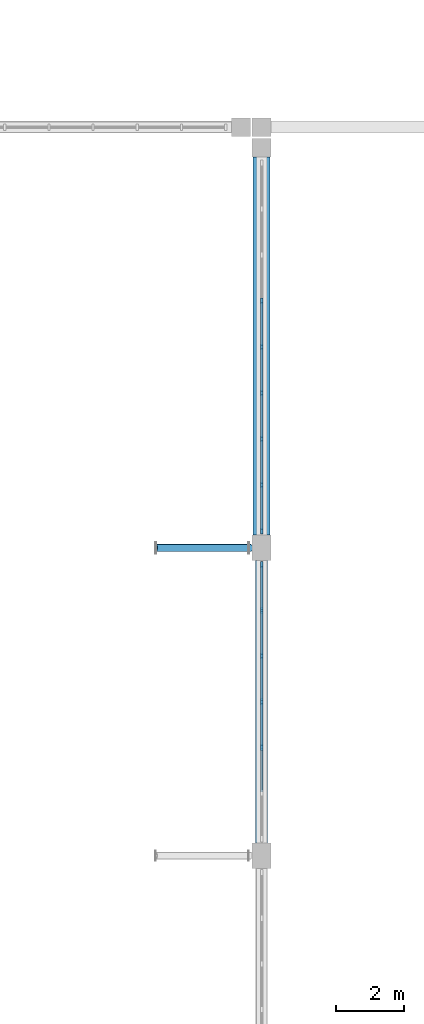
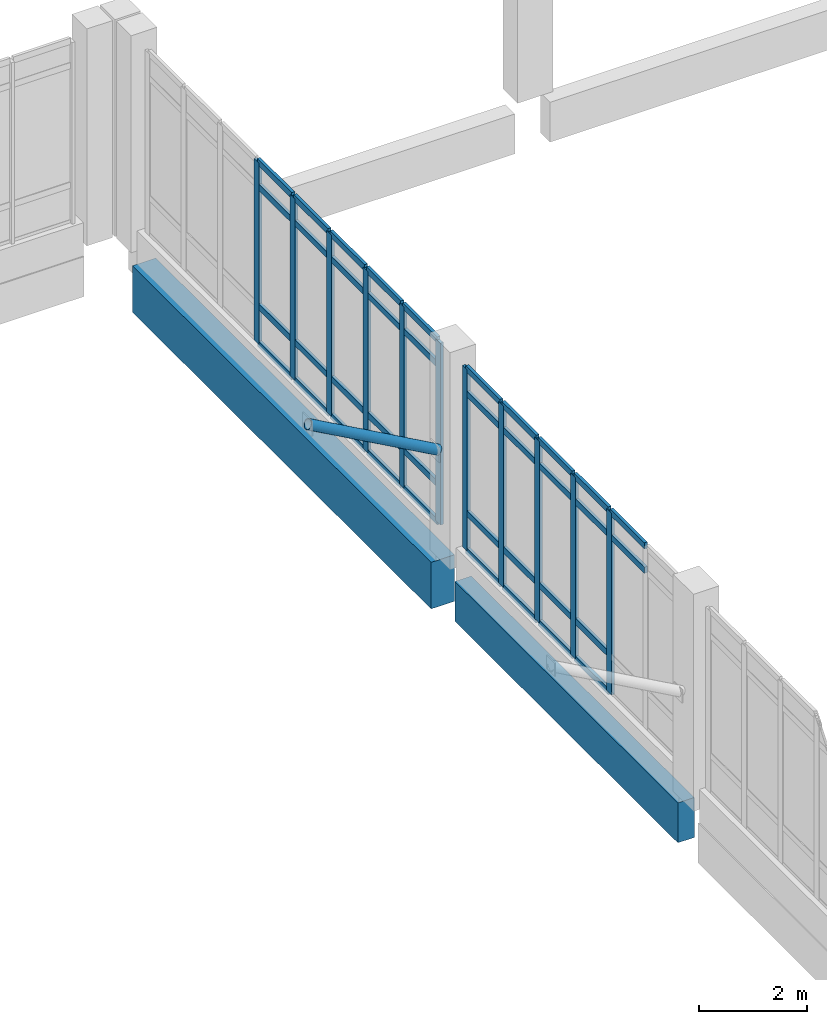
# One storey, part 40 of 110: 50 members, 2 beams, 2 elements without a shape of their own.
"""IFC4 building model written with IfcOpenShell, lengths in metres."""

from ifc_helpers import new_model, si_unit, direction, frame, origin, origin_2d, place, context, subcontext, project, spatial, rectangle, hollow_circle, extrude, material, layer, layer_set, material_profile, profile_set, type_object, element, aggregate, save


model = new_model("IFC4")

# Units and contexts
model_context = context("Model", 3, precision=1e-05, world=origin(), true_north=direction((0.0, 1.0)))
body_context = subcontext(model_context, "Body", "Model", "MODEL_VIEW")
ifc_project = project(units=[si_unit("LENGTHUNIT", "METRE"), si_unit("AREAUNIT", "SQUARE_METRE"), si_unit("VOLUMEUNIT", "CUBIC_METRE"), si_unit("PLANEANGLEUNIT", "RADIAN"), si_unit("MASSUNIT", "GRAM", prefix="KILO")], contexts=[model_context])

# Site, building, storey
site_placement = place(None, origin())
site = spatial("IfcSite", under=ifc_project, at=site_placement, CompositionType="ELEMENT")
building_placement = place(site_placement, origin())
building = spatial("IfcBuilding", under=site, at=building_placement, Name="Zacnel Wholesale Market", CompositionType="ELEMENT")
storey_placement = place(building_placement, frame((0.0, 0.0, 6.300048828125)))
storey = spatial("IfcBuildingStorey", under=building, at=storey_placement, Name="L02", CompositionType="ELEMENT", Elevation=6.300048828125)

# Beams
ifc_material_1 = material(Name="Precast concrete C45/55", Category="concrete")
ifc_material_profile_1 = material_profile(ifc_material_1, rectangle(XDim=0.5, YDim=1.050048828125, at=origin_2d()), Name="PG 500x1050")
ifc_profile_set_1 = profile_set([ifc_material_profile_1], Name="Precast concrete C45/55")
beam_type_1 = type_object("IfcBeamType", Name="BM-PG1050", PredefinedType="T_BEAM", material=ifc_profile_set_1)
beam_1_placement = place(storey_placement, frame((144.300048828125, 84.375, -0.824951171875), z_axis=(0.0, 1.0, 0.0), x_axis=(-1.0, 0.0, 0.0)))
element("IfcBeam", 1, at=beam_1_placement, inside=storey, type_object=beam_type_1, Name="Precast girder Y-0479", PredefinedType="T_BEAM", context=body_context, shape_type="SweptSolid", body=[
    extrude(rectangle(XDim=0.5, YDim=1.050048828125, at=origin_2d()), origin(), (0.0, 0.0, 1.0), 11.050048828125),
])
ifc_material_2 = material(Name="Precast concrete C45/55", Category="concrete")
ifc_material_profile_2 = material_profile(ifc_material_2, rectangle(XDim=0.35009765625, YDim=0.89990234375, at=origin_2d()), Name="SP 350x900")
ifc_profile_set_2 = profile_set([ifc_material_profile_2], Name="Precast concrete C45/55")
beam_type_2 = type_object("IfcBeamType", Name="BM-SP900", PredefinedType="SPANDREL", material=ifc_profile_set_2)
beam_2_placement = place(storey_placement, frame((144.300048828125, 75.375, -0.75), z_axis=(0.0, 1.0, 0.0), x_axis=(-1.0, 0.0, 0.0)))
element("IfcBeam", 2, at=beam_2_placement, inside=storey, type_object=beam_type_2, Name="Precast girder Y-0478", PredefinedType="SPANDREL", context=body_context, shape_type="SweptSolid", body=[
    extrude(rectangle(XDim=0.35009765625, YDim=0.89990234375, at=origin_2d()), origin(), (0.0, 0.0, 1.0), 8.25),
])

# Curtain wall, members
ifc_material_3 = material(Name="Anodised aluminium", Category="aluminium")
ifc_layer = layer(ifc_material_3, 0.159912109375)
ifc_layer_set = layer_set([ifc_layer], Name="Anodised aluminium")
curtain_wall_type = type_object("IfcCurtainWallType", Name="CW-NAVE-4200", PredefinedType="NOTDEFINED", material=ifc_layer_set)
curtain_wall_1_placement = place(storey_placement, origin())
curtain_wall_1 = element("IfcCurtainWall", 3, at=curtain_wall_1_placement, inside=storey, type_object=curtain_wall_type, Name="Curtain wall ENV-R2-CW-L02-044", PredefinedType="NOTDEFINED")
ifc_material_4 = material(Name="Anodised aluminium", Category="aluminium")
ifc_material_profile_3 = material_profile(ifc_material_4, rectangle(XDim=0.06494140625, YDim=0.179931640625, at=origin_2d()), Name="AW-MULLION 65x180")
ifc_profile_set_3 = profile_set([ifc_material_profile_3], Name="Anodised aluminium")
member_type_1 = type_object("IfcMemberType", Name="CWM-MUL-03", PredefinedType="MULLION", material=ifc_profile_set_3)
member_1_placement = place(storey_placement, frame((144.300048828125, 78.1650390625, 0.449951171875), z_axis=(0.0, 0.0, 1.0), x_axis=(1.0, 0.0, 0.0)))
member_1 = element("IfcMember", 4, at=member_1_placement, type_object=member_type_1, Name="ENV-R2-CW-L02-044 mullion 03", PredefinedType="MULLION", context=body_context, shape_type="SweptSolid", body=[
    extrude(rectangle(XDim=0.06494140625, YDim=0.179931640625, at=origin_2d()), origin(), (0.0, 0.0, 1.0), 4.10009765625),
])
member_2_placement = place(storey_placement, frame((144.300048828125, 79.5, 0.449951171875), z_axis=(0.0, 0.0, 1.0), x_axis=(1.0, 0.0, 0.0)))
member_2 = element("IfcMember", 5, at=member_2_placement, type_object=member_type_1, Name="ENV-R2-CW-L02-044 mullion 04", PredefinedType="MULLION", context=body_context, shape_type="SweptSolid", body=[
    extrude(rectangle(XDim=0.06494140625, YDim=0.179931640625, at=origin_2d()), origin(), (0.0, 0.0, 1.0), 4.10009765625),
])
member_3_placement = place(storey_placement, frame((144.300048828125, 80.8349609375, 0.449951171875), z_axis=(0.0, 0.0, 1.0), x_axis=(1.0, 0.0, 0.0)))
member_3 = element("IfcMember", 6, at=member_3_placement, type_object=member_type_1, Name="ENV-R2-CW-L02-044 mullion 05", PredefinedType="MULLION", context=body_context, shape_type="SweptSolid", body=[
    extrude(rectangle(XDim=0.06494140625, YDim=0.179931640625, at=origin_2d()), origin(), (0.0, 0.0, 1.0), 4.10009765625),
])
member_4_placement = place(storey_placement, frame((144.300048828125, 82.169921875, 0.449951171875), z_axis=(0.0, 0.0, 1.0), x_axis=(1.0, 0.0, 0.0)))
member_4 = element("IfcMember", 7, at=member_4_placement, type_object=member_type_1, Name="ENV-R2-CW-L02-044 mullion 06", PredefinedType="MULLION", context=body_context, shape_type="SweptSolid", body=[
    extrude(rectangle(XDim=0.06494140625, YDim=0.179931640625, at=origin_2d()), origin(), (0.0, 0.0, 1.0), 4.10009765625),
])
member_5_placement = place(storey_placement, frame((144.300048828125, 83.5048828125, 0.449951171875), z_axis=(0.0, 0.0, 1.0), x_axis=(1.0, 0.0, 0.0)))
member_5 = element("IfcMember", 8, at=member_5_placement, type_object=member_type_1, Name="ENV-R2-CW-L02-044 mullion 07", PredefinedType="MULLION", context=body_context, shape_type="SweptSolid", body=[
    extrude(rectangle(XDim=0.06494140625, YDim=0.179931640625, at=origin_2d()), origin(), (0.0, 0.0, 1.0), 4.10009765625),
])

curtain_wall_2_placement = place(storey_placement, origin())
curtain_wall_2 = element("IfcCurtainWall", 9, at=curtain_wall_2_placement, inside=storey, type_object=curtain_wall_type, Name="Curtain wall ENV-R2-CW-L02-045", PredefinedType="NOTDEFINED")
member_6_placement = place(storey_placement, frame((144.300048828125, 84.4951171875, 0.449951171875), z_axis=(0.0, 0.0, 1.0), x_axis=(1.0, 0.0, 0.0)))
member_6 = element("IfcMember", 10, at=member_6_placement, type_object=member_type_1, Name="ENV-R2-CW-L02-045 mullion 01", PredefinedType="MULLION", context=body_context, shape_type="SweptSolid", body=[
    extrude(rectangle(XDim=0.06494140625, YDim=0.179931640625, at=origin_2d()), origin(), (0.0, 0.0, 1.0), 4.10009765625),
])
member_7_placement = place(storey_placement, frame((144.300048828125, 85.83935546875, 0.449951171875), z_axis=(0.0, 0.0, 1.0), x_axis=(1.0, 0.0, 0.0)))
member_7 = element("IfcMember", 11, at=member_7_placement, type_object=member_type_1, Name="ENV-R2-CW-L02-045 mullion 02", PredefinedType="MULLION", context=body_context, shape_type="SweptSolid", body=[
    extrude(rectangle(XDim=0.06494140625, YDim=0.179931640625, at=origin_2d()), origin(), (0.0, 0.0, 1.0), 4.10009765625),
])
member_8_placement = place(storey_placement, frame((144.300048828125, 87.183837890625, 0.449951171875), z_axis=(0.0, 0.0, 1.0), x_axis=(1.0, 0.0, 0.0)))
member_8 = element("IfcMember", 12, at=member_8_placement, type_object=member_type_1, Name="ENV-R2-CW-L02-045 mullion 03", PredefinedType="MULLION", context=body_context, shape_type="SweptSolid", body=[
    extrude(rectangle(XDim=0.06494140625, YDim=0.179931640625, at=origin_2d()), origin(), (0.0, 0.0, 1.0), 4.10009765625),
])
member_9_placement = place(storey_placement, frame((144.300048828125, 88.528076171875, 0.449951171875), z_axis=(0.0, 0.0, 1.0), x_axis=(1.0, 0.0, 0.0)))
member_9 = element("IfcMember", 13, at=member_9_placement, type_object=member_type_1, Name="ENV-R2-CW-L02-045 mullion 04", PredefinedType="MULLION", context=body_context, shape_type="SweptSolid", body=[
    extrude(rectangle(XDim=0.06494140625, YDim=0.179931640625, at=origin_2d()), origin(), (0.0, 0.0, 1.0), 4.10009765625),
])
member_10_placement = place(storey_placement, frame((144.300048828125, 89.87255859375, 0.449951171875), z_axis=(0.0, 0.0, 1.0), x_axis=(1.0, 0.0, 0.0)))
member_10 = element("IfcMember", 14, at=member_10_placement, type_object=member_type_1, Name="ENV-R2-CW-L02-045 mullion 05", PredefinedType="MULLION", context=body_context, shape_type="SweptSolid", body=[
    extrude(rectangle(XDim=0.06494140625, YDim=0.179931640625, at=origin_2d()), origin(), (0.0, 0.0, 1.0), 4.10009765625),
])
member_11_placement = place(storey_placement, frame((144.300048828125, 91.216796875, 0.449951171875), z_axis=(0.0, 0.0, 1.0), x_axis=(1.0, 0.0, 0.0)))
member_11 = element("IfcMember", 15, at=member_11_placement, type_object=member_type_1, Name="ENV-R2-CW-L02-045 mullion 06", PredefinedType="MULLION", context=body_context, shape_type="SweptSolid", body=[
    extrude(rectangle(XDim=0.06494140625, YDim=0.179931640625, at=origin_2d()), origin(), (0.0, 0.0, 1.0), 4.10009765625),
])

# Member
ifc_material_5 = material(Name="Anodised aluminium", Category="aluminium")
ifc_material_profile_4 = material_profile(ifc_material_5, rectangle(XDim=0.06494140625, YDim=0.139892578125, at=origin_2d()), Name="AW-TRANSOM 65x140")
ifc_profile_set_4 = profile_set([ifc_material_profile_4], Name="Anodised aluminium")
member_type_2 = type_object("IfcMemberType", Name="CWM-TRN-03", PredefinedType="USERDEFINED", material=ifc_profile_set_4)
member_12_placement = place(storey_placement, frame((144.300048828125, 76.864990234375, 4.0), z_axis=(0.0, 1.0, 0.0), x_axis=(-1.0, 0.0, 0.0)))
member_12 = element("IfcMember", 16, at=member_12_placement, type_object=member_type_2, Name="ENV-R2-CW-L02-044 transom 2-3", ObjectType="TRANSOM", PredefinedType="USERDEFINED", context=body_context, shape_type="SweptSolid", body=[
    extrude(rectangle(XDim=0.06494140625, YDim=0.139892578125, at=origin_2d()), origin(), (0.0, 0.0, 1.0), 1.264892578125),
])

member_13_placement = place(storey_placement, frame((144.300048828125, 76.864990234375, 4.550048828125), z_axis=(0.0, 1.0, 0.0), x_axis=(-1.0, 0.0, 0.0)))
member_13 = element("IfcMember", 17, at=member_13_placement, type_object=member_type_2, Name="ENV-R2-CW-L02-044 transom 2-4", ObjectType="TRANSOM", PredefinedType="USERDEFINED", context=body_context, shape_type="SweptSolid", body=[
    extrude(rectangle(XDim=0.06494140625, YDim=0.139892578125, at=origin_2d()), origin(), (0.0, 0.0, 1.0), 1.264892578125),
])

member_14_placement = place(storey_placement, frame((144.300048828125, 78.199951171875, 0.449951171875), z_axis=(0.0, 1.0, 0.0), x_axis=(-1.0, 0.0, 0.0)))
member_14 = element("IfcMember", 18, at=member_14_placement, type_object=member_type_2, Name="ENV-R2-CW-L02-044 transom 3-1", ObjectType="TRANSOM", PredefinedType="USERDEFINED", context=body_context, shape_type="SweptSolid", body=[
    extrude(rectangle(XDim=0.06494140625, YDim=0.139892578125, at=origin_2d()), origin(), (0.0, 0.0, 1.0), 1.26513671875),
])

member_15_placement = place(storey_placement, frame((144.300048828125, 78.199951171875, 1.300048828125), z_axis=(0.0, 1.0, 0.0), x_axis=(-1.0, 0.0, 0.0)))
member_15 = element("IfcMember", 19, at=member_15_placement, type_object=member_type_2, Name="ENV-R2-CW-L02-044 transom 3-2", ObjectType="TRANSOM", PredefinedType="USERDEFINED", context=body_context, shape_type="SweptSolid", body=[
    extrude(rectangle(XDim=0.06494140625, YDim=0.139892578125, at=origin_2d()), origin(), (0.0, 0.0, 1.0), 1.26513671875),
])

member_16_placement = place(storey_placement, frame((144.300048828125, 78.199951171875, 4.0), z_axis=(0.0, 1.0, 0.0), x_axis=(-1.0, 0.0, 0.0)))
member_16 = element("IfcMember", 20, at=member_16_placement, type_object=member_type_2, Name="ENV-R2-CW-L02-044 transom 3-3", ObjectType="TRANSOM", PredefinedType="USERDEFINED", context=body_context, shape_type="SweptSolid", body=[
    extrude(rectangle(XDim=0.06494140625, YDim=0.139892578125, at=origin_2d()), origin(), (0.0, 0.0, 1.0), 1.26513671875),
])

member_17_placement = place(storey_placement, frame((144.300048828125, 78.199951171875, 4.550048828125), z_axis=(0.0, 1.0, 0.0), x_axis=(-1.0, 0.0, 0.0)))
member_17 = element("IfcMember", 21, at=member_17_placement, type_object=member_type_2, Name="ENV-R2-CW-L02-044 transom 3-4", ObjectType="TRANSOM", PredefinedType="USERDEFINED", context=body_context, shape_type="SweptSolid", body=[
    extrude(rectangle(XDim=0.06494140625, YDim=0.139892578125, at=origin_2d()), origin(), (0.0, 0.0, 1.0), 1.26513671875),
])

member_18_placement = place(storey_placement, frame((144.300048828125, 79.534912109375, 0.449951171875), z_axis=(0.0, 1.0, 0.0), x_axis=(-1.0, 0.0, 0.0)))
member_18 = element("IfcMember", 22, at=member_18_placement, type_object=member_type_2, Name="ENV-R2-CW-L02-044 transom 4-1", ObjectType="TRANSOM", PredefinedType="USERDEFINED", context=body_context, shape_type="SweptSolid", body=[
    extrude(rectangle(XDim=0.06494140625, YDim=0.139892578125, at=origin_2d()), origin(), (0.0, 0.0, 1.0), 1.26513671875),
])

member_19_placement = place(storey_placement, frame((144.300048828125, 79.534912109375, 1.300048828125), z_axis=(0.0, 1.0, 0.0), x_axis=(-1.0, 0.0, 0.0)))
member_19 = element("IfcMember", 23, at=member_19_placement, type_object=member_type_2, Name="ENV-R2-CW-L02-044 transom 4-2", ObjectType="TRANSOM", PredefinedType="USERDEFINED", context=body_context, shape_type="SweptSolid", body=[
    extrude(rectangle(XDim=0.06494140625, YDim=0.139892578125, at=origin_2d()), origin(), (0.0, 0.0, 1.0), 1.26513671875),
])

member_20_placement = place(storey_placement, frame((144.300048828125, 79.534912109375, 4.0), z_axis=(0.0, 1.0, 0.0), x_axis=(-1.0, 0.0, 0.0)))
member_20 = element("IfcMember", 24, at=member_20_placement, type_object=member_type_2, Name="ENV-R2-CW-L02-044 transom 4-3", ObjectType="TRANSOM", PredefinedType="USERDEFINED", context=body_context, shape_type="SweptSolid", body=[
    extrude(rectangle(XDim=0.06494140625, YDim=0.139892578125, at=origin_2d()), origin(), (0.0, 0.0, 1.0), 1.26513671875),
])

member_21_placement = place(storey_placement, frame((144.300048828125, 79.534912109375, 4.550048828125), z_axis=(0.0, 1.0, 0.0), x_axis=(-1.0, 0.0, 0.0)))
member_21 = element("IfcMember", 25, at=member_21_placement, type_object=member_type_2, Name="ENV-R2-CW-L02-044 transom 4-4", ObjectType="TRANSOM", PredefinedType="USERDEFINED", context=body_context, shape_type="SweptSolid", body=[
    extrude(rectangle(XDim=0.06494140625, YDim=0.139892578125, at=origin_2d()), origin(), (0.0, 0.0, 1.0), 1.26513671875),
])

member_22_placement = place(storey_placement, frame((144.300048828125, 80.8701171875, 0.449951171875), z_axis=(0.0, 1.0, 0.0), x_axis=(-1.0, 0.0, 0.0)))
member_22 = element("IfcMember", 26, at=member_22_placement, type_object=member_type_2, Name="ENV-R2-CW-L02-044 transom 5-1", ObjectType="TRANSOM", PredefinedType="USERDEFINED", context=body_context, shape_type="SweptSolid", body=[
    extrude(rectangle(XDim=0.06494140625, YDim=0.139892578125, at=origin_2d()), origin(), (0.0, 0.0, 1.0), 1.264892578125),
])

member_23_placement = place(storey_placement, frame((144.300048828125, 80.8701171875, 1.300048828125), z_axis=(0.0, 1.0, 0.0), x_axis=(-1.0, 0.0, 0.0)))
member_23 = element("IfcMember", 27, at=member_23_placement, type_object=member_type_2, Name="ENV-R2-CW-L02-044 transom 5-2", ObjectType="TRANSOM", PredefinedType="USERDEFINED", context=body_context, shape_type="SweptSolid", body=[
    extrude(rectangle(XDim=0.06494140625, YDim=0.139892578125, at=origin_2d()), origin(), (0.0, 0.0, 1.0), 1.264892578125),
])

member_24_placement = place(storey_placement, frame((144.300048828125, 80.8701171875, 4.0), z_axis=(0.0, 1.0, 0.0), x_axis=(-1.0, 0.0, 0.0)))
member_24 = element("IfcMember", 28, at=member_24_placement, type_object=member_type_2, Name="ENV-R2-CW-L02-044 transom 5-3", ObjectType="TRANSOM", PredefinedType="USERDEFINED", context=body_context, shape_type="SweptSolid", body=[
    extrude(rectangle(XDim=0.06494140625, YDim=0.139892578125, at=origin_2d()), origin(), (0.0, 0.0, 1.0), 1.264892578125),
])

member_25_placement = place(storey_placement, frame((144.300048828125, 80.8701171875, 4.550048828125), z_axis=(0.0, 1.0, 0.0), x_axis=(-1.0, 0.0, 0.0)))
member_25 = element("IfcMember", 29, at=member_25_placement, type_object=member_type_2, Name="ENV-R2-CW-L02-044 transom 5-4", ObjectType="TRANSOM", PredefinedType="USERDEFINED", context=body_context, shape_type="SweptSolid", body=[
    extrude(rectangle(XDim=0.06494140625, YDim=0.139892578125, at=origin_2d()), origin(), (0.0, 0.0, 1.0), 1.264892578125),
])

member_26_placement = place(storey_placement, frame((144.300048828125, 82.205078125, 0.449951171875), z_axis=(0.0, 1.0, 0.0), x_axis=(-1.0, 0.0, 0.0)))
member_26 = element("IfcMember", 30, at=member_26_placement, type_object=member_type_2, Name="ENV-R2-CW-L02-044 transom 6-1", ObjectType="TRANSOM", PredefinedType="USERDEFINED", context=body_context, shape_type="SweptSolid", body=[
    extrude(rectangle(XDim=0.06494140625, YDim=0.139892578125, at=origin_2d()), origin(), (0.0, 0.0, 1.0), 1.264892578125),
])

member_27_placement = place(storey_placement, frame((144.300048828125, 82.205078125, 1.300048828125), z_axis=(0.0, 1.0, 0.0), x_axis=(-1.0, 0.0, 0.0)))
member_27 = element("IfcMember", 31, at=member_27_placement, type_object=member_type_2, Name="ENV-R2-CW-L02-044 transom 6-2", ObjectType="TRANSOM", PredefinedType="USERDEFINED", context=body_context, shape_type="SweptSolid", body=[
    extrude(rectangle(XDim=0.06494140625, YDim=0.139892578125, at=origin_2d()), origin(), (0.0, 0.0, 1.0), 1.264892578125),
])

member_28_placement = place(storey_placement, frame((144.300048828125, 82.205078125, 4.0), z_axis=(0.0, 1.0, 0.0), x_axis=(-1.0, 0.0, 0.0)))
member_28 = element("IfcMember", 32, at=member_28_placement, type_object=member_type_2, Name="ENV-R2-CW-L02-044 transom 6-3", ObjectType="TRANSOM", PredefinedType="USERDEFINED", context=body_context, shape_type="SweptSolid", body=[
    extrude(rectangle(XDim=0.06494140625, YDim=0.139892578125, at=origin_2d()), origin(), (0.0, 0.0, 1.0), 1.264892578125),
])

member_29_placement = place(storey_placement, frame((144.300048828125, 82.205078125, 4.550048828125), z_axis=(0.0, 1.0, 0.0), x_axis=(-1.0, 0.0, 0.0)))
member_29 = element("IfcMember", 33, at=member_29_placement, type_object=member_type_2, Name="ENV-R2-CW-L02-044 transom 6-4", ObjectType="TRANSOM", PredefinedType="USERDEFINED", context=body_context, shape_type="SweptSolid", body=[
    extrude(rectangle(XDim=0.06494140625, YDim=0.139892578125, at=origin_2d()), origin(), (0.0, 0.0, 1.0), 1.264892578125),
])

aggregate(curtain_wall_1, [member_1, member_2, member_3, member_4, member_5, member_12, member_13, member_14, member_15, member_16, member_17, member_18, member_19, member_20, member_21, member_22, member_23, member_24, member_25, member_26, member_27, member_28, member_29])

member_30_placement = place(storey_placement, frame((144.300048828125, 84.530029296875, 0.449951171875), z_axis=(0.0, 1.0, 0.0), x_axis=(-1.0, 0.0, 0.0)))
member_30 = element("IfcMember", 34, at=member_30_placement, type_object=member_type_2, Name="ENV-R2-CW-L02-045 transom 1-1", ObjectType="TRANSOM", PredefinedType="USERDEFINED", context=body_context, shape_type="SweptSolid", body=[
    extrude(rectangle(XDim=0.06494140625, YDim=0.139892578125, at=origin_2d()), origin(), (0.0, 0.0, 1.0), 1.2744140625),
])

member_31_placement = place(storey_placement, frame((144.300048828125, 84.530029296875, 1.300048828125), z_axis=(0.0, 1.0, 0.0), x_axis=(-1.0, 0.0, 0.0)))
member_31 = element("IfcMember", 35, at=member_31_placement, type_object=member_type_2, Name="ENV-R2-CW-L02-045 transom 1-2", ObjectType="TRANSOM", PredefinedType="USERDEFINED", context=body_context, shape_type="SweptSolid", body=[
    extrude(rectangle(XDim=0.06494140625, YDim=0.139892578125, at=origin_2d()), origin(), (0.0, 0.0, 1.0), 1.2744140625),
])

member_32_placement = place(storey_placement, frame((144.300048828125, 84.530029296875, 4.0), z_axis=(0.0, 1.0, 0.0), x_axis=(-1.0, 0.0, 0.0)))
member_32 = element("IfcMember", 36, at=member_32_placement, type_object=member_type_2, Name="ENV-R2-CW-L02-045 transom 1-3", ObjectType="TRANSOM", PredefinedType="USERDEFINED", context=body_context, shape_type="SweptSolid", body=[
    extrude(rectangle(XDim=0.06494140625, YDim=0.139892578125, at=origin_2d()), origin(), (0.0, 0.0, 1.0), 1.2744140625),
])

member_33_placement = place(storey_placement, frame((144.300048828125, 84.530029296875, 4.550048828125), z_axis=(0.0, 1.0, 0.0), x_axis=(-1.0, 0.0, 0.0)))
member_33 = element("IfcMember", 37, at=member_33_placement, type_object=member_type_2, Name="ENV-R2-CW-L02-045 transom 1-4", ObjectType="TRANSOM", PredefinedType="USERDEFINED", context=body_context, shape_type="SweptSolid", body=[
    extrude(rectangle(XDim=0.06494140625, YDim=0.139892578125, at=origin_2d()), origin(), (0.0, 0.0, 1.0), 1.2744140625),
])

member_34_placement = place(storey_placement, frame((144.300048828125, 85.87451171875, 0.449951171875), z_axis=(0.0, 1.0, 0.0), x_axis=(-1.0, 0.0, 0.0)))
member_34 = element("IfcMember", 38, at=member_34_placement, type_object=member_type_2, Name="ENV-R2-CW-L02-045 transom 2-1", ObjectType="TRANSOM", PredefinedType="USERDEFINED", context=body_context, shape_type="SweptSolid", body=[
    extrude(rectangle(XDim=0.06494140625, YDim=0.139892578125, at=origin_2d()), origin(), (0.0, 0.0, 1.0), 1.274169921875),
])

member_35_placement = place(storey_placement, frame((144.300048828125, 85.87451171875, 1.300048828125), z_axis=(0.0, 1.0, 0.0), x_axis=(-1.0, 0.0, 0.0)))
member_35 = element("IfcMember", 39, at=member_35_placement, type_object=member_type_2, Name="ENV-R2-CW-L02-045 transom 2-2", ObjectType="TRANSOM", PredefinedType="USERDEFINED", context=body_context, shape_type="SweptSolid", body=[
    extrude(rectangle(XDim=0.06494140625, YDim=0.139892578125, at=origin_2d()), origin(), (0.0, 0.0, 1.0), 1.274169921875),
])

member_36_placement = place(storey_placement, frame((144.300048828125, 85.87451171875, 4.0), z_axis=(0.0, 1.0, 0.0), x_axis=(-1.0, 0.0, 0.0)))
member_36 = element("IfcMember", 40, at=member_36_placement, type_object=member_type_2, Name="ENV-R2-CW-L02-045 transom 2-3", ObjectType="TRANSOM", PredefinedType="USERDEFINED", context=body_context, shape_type="SweptSolid", body=[
    extrude(rectangle(XDim=0.06494140625, YDim=0.139892578125, at=origin_2d()), origin(), (0.0, 0.0, 1.0), 1.274169921875),
])

member_37_placement = place(storey_placement, frame((144.300048828125, 85.87451171875, 4.550048828125), z_axis=(0.0, 1.0, 0.0), x_axis=(-1.0, 0.0, 0.0)))
member_37 = element("IfcMember", 41, at=member_37_placement, type_object=member_type_2, Name="ENV-R2-CW-L02-045 transom 2-4", ObjectType="TRANSOM", PredefinedType="USERDEFINED", context=body_context, shape_type="SweptSolid", body=[
    extrude(rectangle(XDim=0.06494140625, YDim=0.139892578125, at=origin_2d()), origin(), (0.0, 0.0, 1.0), 1.274169921875),
])

member_38_placement = place(storey_placement, frame((144.300048828125, 87.21875, 0.449951171875), z_axis=(0.0, 1.0, 0.0), x_axis=(-1.0, 0.0, 0.0)))
member_38 = element("IfcMember", 42, at=member_38_placement, type_object=member_type_2, Name="ENV-R2-CW-L02-045 transom 3-1", ObjectType="TRANSOM", PredefinedType="USERDEFINED", context=body_context, shape_type="SweptSolid", body=[
    extrude(rectangle(XDim=0.06494140625, YDim=0.139892578125, at=origin_2d()), origin(), (0.0, 0.0, 1.0), 1.2744140625),
])

member_39_placement = place(storey_placement, frame((144.300048828125, 87.21875, 1.300048828125), z_axis=(0.0, 1.0, 0.0), x_axis=(-1.0, 0.0, 0.0)))
member_39 = element("IfcMember", 43, at=member_39_placement, type_object=member_type_2, Name="ENV-R2-CW-L02-045 transom 3-2", ObjectType="TRANSOM", PredefinedType="USERDEFINED", context=body_context, shape_type="SweptSolid", body=[
    extrude(rectangle(XDim=0.06494140625, YDim=0.139892578125, at=origin_2d()), origin(), (0.0, 0.0, 1.0), 1.2744140625),
])

member_40_placement = place(storey_placement, frame((144.300048828125, 87.21875, 4.0), z_axis=(0.0, 1.0, 0.0), x_axis=(-1.0, 0.0, 0.0)))
member_40 = element("IfcMember", 44, at=member_40_placement, type_object=member_type_2, Name="ENV-R2-CW-L02-045 transom 3-3", ObjectType="TRANSOM", PredefinedType="USERDEFINED", context=body_context, shape_type="SweptSolid", body=[
    extrude(rectangle(XDim=0.06494140625, YDim=0.139892578125, at=origin_2d()), origin(), (0.0, 0.0, 1.0), 1.2744140625),
])

member_41_placement = place(storey_placement, frame((144.300048828125, 87.21875, 4.550048828125), z_axis=(0.0, 1.0, 0.0), x_axis=(-1.0, 0.0, 0.0)))
member_41 = element("IfcMember", 45, at=member_41_placement, type_object=member_type_2, Name="ENV-R2-CW-L02-045 transom 3-4", ObjectType="TRANSOM", PredefinedType="USERDEFINED", context=body_context, shape_type="SweptSolid", body=[
    extrude(rectangle(XDim=0.06494140625, YDim=0.139892578125, at=origin_2d()), origin(), (0.0, 0.0, 1.0), 1.2744140625),
])

member_42_placement = place(storey_placement, frame((144.300048828125, 88.56298828125, 0.449951171875), z_axis=(0.0, 1.0, 0.0), x_axis=(-1.0, 0.0, 0.0)))
member_42 = element("IfcMember", 46, at=member_42_placement, type_object=member_type_2, Name="ENV-R2-CW-L02-045 transom 4-1", ObjectType="TRANSOM", PredefinedType="USERDEFINED", context=body_context, shape_type="SweptSolid", body=[
    extrude(rectangle(XDim=0.06494140625, YDim=0.139892578125, at=origin_2d()), origin(), (0.0, 0.0, 1.0), 1.2744140625),
])

member_43_placement = place(storey_placement, frame((144.300048828125, 88.56298828125, 1.300048828125), z_axis=(0.0, 1.0, 0.0), x_axis=(-1.0, 0.0, 0.0)))
member_43 = element("IfcMember", 47, at=member_43_placement, type_object=member_type_2, Name="ENV-R2-CW-L02-045 transom 4-2", ObjectType="TRANSOM", PredefinedType="USERDEFINED", context=body_context, shape_type="SweptSolid", body=[
    extrude(rectangle(XDim=0.06494140625, YDim=0.139892578125, at=origin_2d()), origin(), (0.0, 0.0, 1.0), 1.2744140625),
])

member_44_placement = place(storey_placement, frame((144.300048828125, 88.56298828125, 4.0), z_axis=(0.0, 1.0, 0.0), x_axis=(-1.0, 0.0, 0.0)))
member_44 = element("IfcMember", 48, at=member_44_placement, type_object=member_type_2, Name="ENV-R2-CW-L02-045 transom 4-3", ObjectType="TRANSOM", PredefinedType="USERDEFINED", context=body_context, shape_type="SweptSolid", body=[
    extrude(rectangle(XDim=0.06494140625, YDim=0.139892578125, at=origin_2d()), origin(), (0.0, 0.0, 1.0), 1.2744140625),
])

member_45_placement = place(storey_placement, frame((144.300048828125, 88.56298828125, 4.550048828125), z_axis=(0.0, 1.0, 0.0), x_axis=(-1.0, 0.0, 0.0)))
member_45 = element("IfcMember", 49, at=member_45_placement, type_object=member_type_2, Name="ENV-R2-CW-L02-045 transom 4-4", ObjectType="TRANSOM", PredefinedType="USERDEFINED", context=body_context, shape_type="SweptSolid", body=[
    extrude(rectangle(XDim=0.06494140625, YDim=0.139892578125, at=origin_2d()), origin(), (0.0, 0.0, 1.0), 1.2744140625),
])

member_46_placement = place(storey_placement, frame((144.300048828125, 89.907470703125, 0.449951171875), z_axis=(0.0, 1.0, 0.0), x_axis=(-1.0, 0.0, 0.0)))
member_46 = element("IfcMember", 50, at=member_46_placement, type_object=member_type_2, Name="ENV-R2-CW-L02-045 transom 5-1", ObjectType="TRANSOM", PredefinedType="USERDEFINED", context=body_context, shape_type="SweptSolid", body=[
    extrude(rectangle(XDim=0.06494140625, YDim=0.139892578125, at=origin_2d()), origin(), (0.0, 0.0, 1.0), 1.2744140625),
])

member_47_placement = place(storey_placement, frame((144.300048828125, 89.907470703125, 1.300048828125), z_axis=(0.0, 1.0, 0.0), x_axis=(-1.0, 0.0, 0.0)))
member_47 = element("IfcMember", 51, at=member_47_placement, type_object=member_type_2, Name="ENV-R2-CW-L02-045 transom 5-2", ObjectType="TRANSOM", PredefinedType="USERDEFINED", context=body_context, shape_type="SweptSolid", body=[
    extrude(rectangle(XDim=0.06494140625, YDim=0.139892578125, at=origin_2d()), origin(), (0.0, 0.0, 1.0), 1.2744140625),
])

member_48_placement = place(storey_placement, frame((144.300048828125, 89.907470703125, 4.0), z_axis=(0.0, 1.0, 0.0), x_axis=(-1.0, 0.0, 0.0)))
member_48 = element("IfcMember", 52, at=member_48_placement, type_object=member_type_2, Name="ENV-R2-CW-L02-045 transom 5-3", ObjectType="TRANSOM", PredefinedType="USERDEFINED", context=body_context, shape_type="SweptSolid", body=[
    extrude(rectangle(XDim=0.06494140625, YDim=0.139892578125, at=origin_2d()), origin(), (0.0, 0.0, 1.0), 1.2744140625),
])

member_49_placement = place(storey_placement, frame((144.300048828125, 89.907470703125, 4.550048828125), z_axis=(0.0, 1.0, 0.0), x_axis=(-1.0, 0.0, 0.0)))
member_49 = element("IfcMember", 53, at=member_49_placement, type_object=member_type_2, Name="ENV-R2-CW-L02-045 transom 5-4", ObjectType="TRANSOM", PredefinedType="USERDEFINED", context=body_context, shape_type="SweptSolid", body=[
    extrude(rectangle(XDim=0.06494140625, YDim=0.139892578125, at=origin_2d()), origin(), (0.0, 0.0, 1.0), 1.2744140625),
])

aggregate(curtain_wall_2, [member_6, member_7, member_8, member_9, member_10, member_11, member_30, member_31, member_32, member_33, member_34, member_35, member_36, member_37, member_38, member_39, member_40, member_41, member_42, member_43, member_44, member_45, member_46, member_47, member_48, member_49])

ifc_material_6 = material(Name="Steel S355", Category="steel")
ifc_material_profile_5 = material_profile(ifc_material_6, hollow_circle(Radius=0.109619140625, WallThickness=0.010009765625, at=origin_2d()), Name="CHS 219.1x10")
ifc_profile_set_5 = profile_set([ifc_material_profile_5], Name="Steel S355")
member_type_3 = type_object("IfcMemberType", Name="MEM-STR-CHS219", PredefinedType="STRUT", material=ifc_profile_set_5)
member_50_placement = place(storey_placement, frame((143.97998046875, 84.0, 2.5), z_axis=(-0.873410930295, 0.0, 0.48698392873), x_axis=(0.0, -1.0, 0.0)))
element("IfcMember", 54, at=member_50_placement, inside=storey, type_object=member_type_3, Name="Storm eave knee strut 016", PredefinedType="STRUT", context=body_context, shape_type="SweptSolid", body=[
    extrude(hollow_circle(Radius=0.109619140625, WallThickness=0.010009765625, at=origin_2d()), origin(), (0.0, 0.0, 1.0), 3.182861328125),
])

save(model, "model.ifc")
